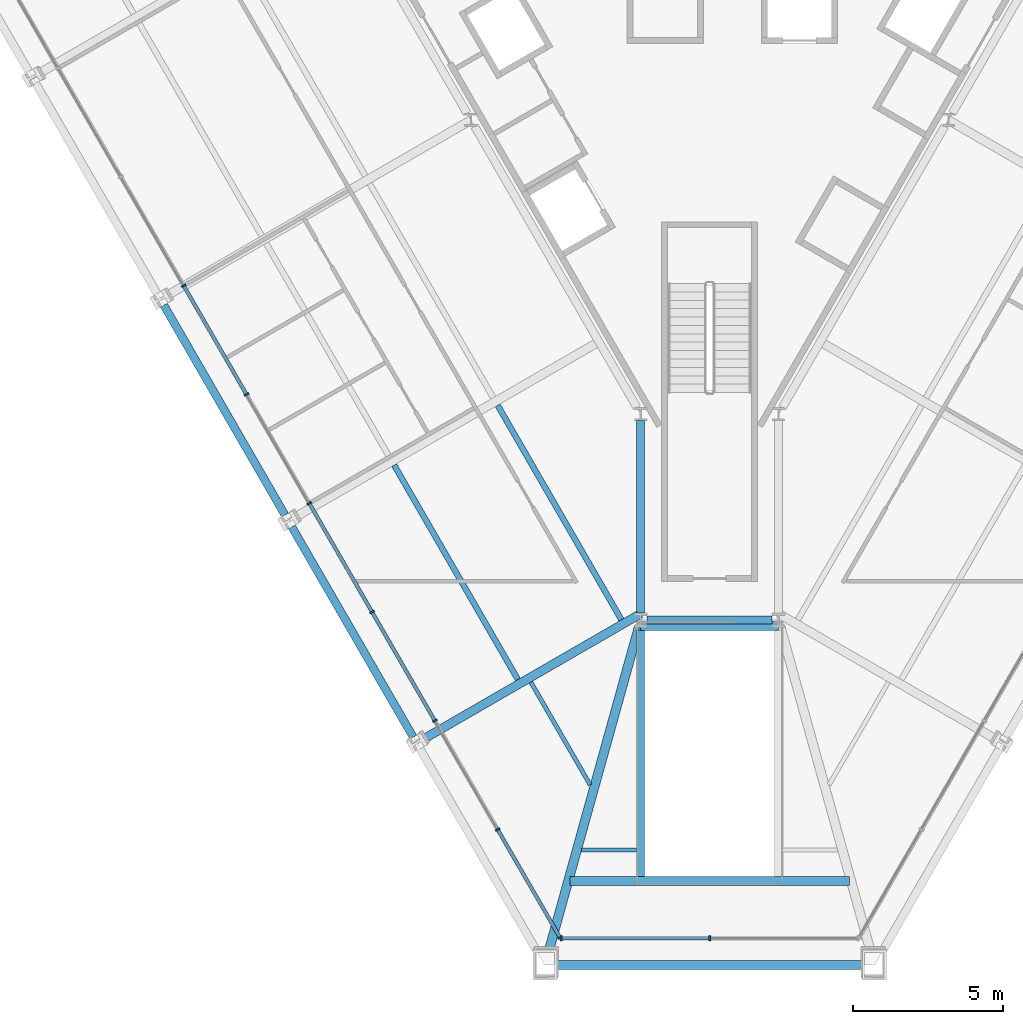
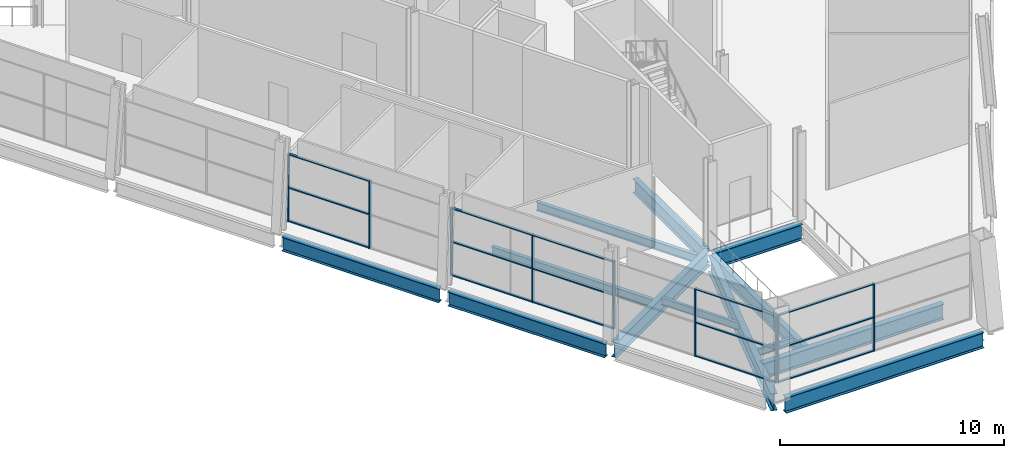
# One storey, part 2 of 18: 24 members, 14 beams, 2 elements without a shape of their own.
"""IFC4 building model written with IfcOpenShell, lengths in metres."""

from ifc_helpers import new_model, si_unit, direction, frame, origin, origin_2d, place, context, subcontext, project, spatial, rectangle, i_section, extrude, material, layer, layer_set, material_profile, profile_set, type_object, element, aggregate, save


model = new_model("IFC4")

# Units and contexts
model_context = context("Model", 3, precision=1e-05, world=origin(), true_north=direction((0.0, 1.0)))
body_context = subcontext(model_context, "Body", "Model", "MODEL_VIEW")
ifc_project = project(units=[si_unit("LENGTHUNIT", "METRE"), si_unit("AREAUNIT", "SQUARE_METRE"), si_unit("VOLUMEUNIT", "CUBIC_METRE"), si_unit("PLANEANGLEUNIT", "RADIAN"), si_unit("MASSUNIT", "GRAM", prefix="KILO")], contexts=[model_context])

# Site, building, storey
site_placement = place(None, origin())
site = spatial("IfcSite", under=ifc_project, at=site_placement, CompositionType="ELEMENT")
building_placement = place(site_placement, origin())
building = spatial("IfcBuilding", under=site, at=building_placement, Name="Verrane Prism Tower", CompositionType="ELEMENT")
storey_placement = place(building_placement, frame((0.0, 0.0, 32.0)))
storey = spatial("IfcBuildingStorey", under=building, at=storey_placement, Name="L05", CompositionType="ELEMENT", Elevation=32.0)

# Curtain wall, members
ifc_material_1 = material(Name="Aluminium and glass curtain wall", Category="aluminium")
ifc_layer = layer(ifc_material_1, 0.199951171875)
ifc_layer_set = layer_set([ifc_layer], Name="CWB-1 retail curtain wall")
curtain_wall_type = type_object("IfcCurtainWallType", Name="CWB-1 retail curtain wall", PredefinedType="NOTDEFINED", material=ifc_layer_set)
curtain_wall_1_placement = place(storey_placement, origin())
curtain_wall_1 = element("IfcCurtainWall", 1, at=curtain_wall_1_placement, inside=storey, type_object=curtain_wall_type, Name="Retail curtain wall L05 4", PredefinedType="NOTDEFINED")
ifc_material_2 = material(Name="Aluminium", Category="aluminium")
ifc_material_profile_1 = material_profile(ifc_material_2, rectangle(XDim=0.159912109375, YDim=0.06005859375, at=origin_2d()), Name="CWB-M 60x160 mullion")
ifc_profile_set_1 = profile_set([ifc_material_profile_1], Name="Aluminium")
member_type_1 = type_object("IfcMemberType", Name="CWB-M 60x160 mullion", PredefinedType="MULLION", material=ifc_profile_set_1)
member_1_placement = place(storey_placement, frame((-17.554443359375, -10.135009765625, 0.0), z_axis=(0.0, 0.0, 1.0), x_axis=(0.866025335097, 0.50000011897, 0.0)))
member_1 = element("IfcMember", 2, at=member_1_placement, type_object=member_type_1, Name="CWB54 mullion 7", PredefinedType="MULLION", context=body_context, shape_type="SweptSolid", body=[
    extrude(rectangle(XDim=0.159912109375, YDim=0.06005859375, at=origin_2d()), origin(), (0.0, 0.0, 1.0), 3.68994140625),
])
member_2_placement = place(storey_placement, frame((-15.458740234375, -13.764892578125, 0.0), z_axis=(0.0, 0.0, 1.0), x_axis=(0.866025335097, 0.50000011897, 0.0)))
member_2 = element("IfcMember", 3, at=member_2_placement, type_object=member_type_1, Name="CWB54 mullion 8", PredefinedType="MULLION", context=body_context, shape_type="SweptSolid", body=[
    extrude(rectangle(XDim=0.159912109375, YDim=0.06005859375, at=origin_2d()), origin(), (0.0, 0.0, 1.0), 3.68994140625),
])
member_3_placement = place(storey_placement, frame((-13.363037109375, -17.39453125, 0.0), z_axis=(0.0, 0.0, 1.0), x_axis=(0.866025335097, 0.50000011897, 0.0)))
member_3 = element("IfcMember", 4, at=member_3_placement, type_object=member_type_1, Name="CWB54 mullion 9", PredefinedType="MULLION", context=body_context, shape_type="SweptSolid", body=[
    extrude(rectangle(XDim=0.159912109375, YDim=0.06005859375, at=origin_2d()), origin(), (0.0, 0.0, 1.0), 3.68994140625),
])
member_4_placement = place(storey_placement, frame((-11.267333984375, -21.0244140625, 0.0), z_axis=(0.0, 0.0, 1.0), x_axis=(0.866025335097, 0.50000011897, 0.0)))
member_4 = element("IfcMember", 5, at=member_4_placement, type_object=member_type_1, Name="CWB54 mullion 10", PredefinedType="MULLION", context=body_context, shape_type="SweptSolid", body=[
    extrude(rectangle(XDim=0.159912109375, YDim=0.06005859375, at=origin_2d()), origin(), (0.0, 0.0, 1.0), 3.68994140625),
])
member_5_placement = place(storey_placement, frame((-9.171630859375, -24.654052734375, 0.0), z_axis=(0.0, 0.0, 1.0), x_axis=(0.866025335097, 0.50000011897, 0.0)))
member_5 = element("IfcMember", 6, at=member_5_placement, type_object=member_type_1, Name="CWB54 mullion 11", PredefinedType="MULLION", context=body_context, shape_type="SweptSolid", body=[
    extrude(rectangle(XDim=0.159912109375, YDim=0.06005859375, at=origin_2d()), origin(), (0.0, 0.0, 1.0), 3.68994140625),
])
member_6_placement = place(storey_placement, frame((-7.075927734375, -28.283935546875, 0.0), z_axis=(0.0, 0.0, 1.0), x_axis=(0.866025335097, 0.50000011897, 0.0)))
member_6 = element("IfcMember", 7, at=member_6_placement, type_object=member_type_1, Name="CWB54 mullion 12", PredefinedType="MULLION", context=body_context, shape_type="SweptSolid", body=[
    extrude(rectangle(XDim=0.159912109375, YDim=0.06005859375, at=origin_2d()), origin(), (0.0, 0.0, 1.0), 3.68994140625),
])
member_7_placement = place(storey_placement, frame((-4.995361328125, -31.8876953125, 0.0), z_axis=(0.0, 0.0, 1.0), x_axis=(0.866025335097, 0.50000011897, 0.0)))
member_7 = element("IfcMember", 8, at=member_7_placement, type_object=member_type_1, Name="CWB54 mullion 13", PredefinedType="MULLION", context=body_context, shape_type="SweptSolid", body=[
    extrude(rectangle(XDim=0.159912109375, YDim=0.06005859375, at=origin_2d()), origin(), (0.0, 0.0, 1.0), 3.68994140625),
])

curtain_wall_2_placement = place(storey_placement, origin())
curtain_wall_2 = element("IfcCurtainWall", 9, at=curtain_wall_2_placement, inside=storey, type_object=curtain_wall_type, Name="Retail curtain wall L05 5", PredefinedType="NOTDEFINED")
member_8_placement = place(storey_placement, frame((-4.950439453125, -31.913818359375, 0.0), z_axis=(0.0, 0.0, 1.0), x_axis=(0.0, 1.0, 0.0)))
member_8 = element("IfcMember", 10, at=member_8_placement, type_object=member_type_1, Name="CWB55 mullion 1", PredefinedType="MULLION", context=body_context, shape_type="SweptSolid", body=[
    extrude(rectangle(XDim=0.159912109375, YDim=0.06005859375, at=origin_2d()), origin(), (0.0, 0.0, 1.0), 3.68994140625),
])
member_9_placement = place(storey_placement, frame((0.0, -31.913818359375, 0.0), z_axis=(0.0, 0.0, 1.0), x_axis=(0.0, 1.0, 0.0)))
member_9 = element("IfcMember", 11, at=member_9_placement, type_object=member_type_1, Name="CWB55 mullion 2", PredefinedType="MULLION", context=body_context, shape_type="SweptSolid", body=[
    extrude(rectangle(XDim=0.159912109375, YDim=0.06005859375, at=origin_2d()), origin(), (0.0, 0.0, 1.0), 3.68994140625),
])

# Member
ifc_material_3 = material(Name="Aluminium", Category="aluminium")
ifc_material_profile_2 = material_profile(ifc_material_3, rectangle(XDim=0.1201171875, YDim=0.06005859375, at=origin_2d()), Name="CWB-T 60x120 transom")
ifc_profile_set_2 = profile_set([ifc_material_profile_2], Name="Aluminium")
member_type_2 = type_object("IfcMemberType", Name="CWB-T 60x120 transom", PredefinedType="USERDEFINED", material=ifc_profile_set_2)
member_10_placement = place(storey_placement, frame((-17.539306640625, -10.160888671875, 0.030029296875), z_axis=(0.499996977546, -0.866027148792, 0.0), x_axis=(0.866027148792, 0.499996977546, 0.0)))
member_10 = element("IfcMember", 12, at=member_10_placement, type_object=member_type_2, Name="CWB54 transom 7.1", ObjectType="TRANSOM", PredefinedType="USERDEFINED", context=body_context, shape_type="SweptSolid", body=[
    extrude(rectangle(XDim=0.1201171875, YDim=0.06005859375, at=origin_2d()), origin(), (0.0, 0.0, 1.0), 4.13134765625),
])

member_11_placement = place(storey_placement, frame((-17.539306640625, -10.160888671875, 1.844970703125), z_axis=(0.499996977546, -0.866027148792, 0.0), x_axis=(0.866027148792, 0.499996977546, 0.0)))
member_11 = element("IfcMember", 13, at=member_11_placement, type_object=member_type_2, Name="CWB54 transom 7.2", ObjectType="TRANSOM", PredefinedType="USERDEFINED", context=body_context, shape_type="SweptSolid", body=[
    extrude(rectangle(XDim=0.1201171875, YDim=0.06005859375, at=origin_2d()), origin(), (0.0, 0.0, 1.0), 4.13134765625),
])

member_12_placement = place(storey_placement, frame((-17.539306640625, -10.160888671875, 3.659912109375), z_axis=(0.499996977546, -0.866027148792, 0.0), x_axis=(0.866027148792, 0.499996977546, 0.0)))
member_12 = element("IfcMember", 14, at=member_12_placement, type_object=member_type_2, Name="CWB54 transom 7.3", ObjectType="TRANSOM", PredefinedType="USERDEFINED", context=body_context, shape_type="SweptSolid", body=[
    extrude(rectangle(XDim=0.1201171875, YDim=0.06005859375, at=origin_2d()), origin(), (0.0, 0.0, 1.0), 4.13134765625),
])

member_13_placement = place(storey_placement, frame((-13.347900390625, -17.420654296875, 0.030029296875), z_axis=(0.499978243488, -0.866037964548, 0.0), x_axis=(0.866037964548, 0.499978243488, 0.0)))
member_13 = element("IfcMember", 15, at=member_13_placement, type_object=member_type_2, Name="CWB54 transom 9.1", ObjectType="TRANSOM", PredefinedType="USERDEFINED", context=body_context, shape_type="SweptSolid", body=[
    extrude(rectangle(XDim=0.1201171875, YDim=0.06005859375, at=origin_2d()), origin(), (0.0, 0.0, 1.0), 4.131103515625),
])

member_14_placement = place(storey_placement, frame((-13.347900390625, -17.420654296875, 1.844970703125), z_axis=(0.499978243488, -0.866037964548, 0.0), x_axis=(0.866037964548, 0.499978243488, 0.0)))
member_14 = element("IfcMember", 16, at=member_14_placement, type_object=member_type_2, Name="CWB54 transom 9.2", ObjectType="TRANSOM", PredefinedType="USERDEFINED", context=body_context, shape_type="SweptSolid", body=[
    extrude(rectangle(XDim=0.1201171875, YDim=0.06005859375, at=origin_2d()), origin(), (0.0, 0.0, 1.0), 4.131103515625),
])

member_15_placement = place(storey_placement, frame((-13.347900390625, -17.420654296875, 3.659912109375), z_axis=(0.499978243488, -0.866037964548, 0.0), x_axis=(0.866037964548, 0.499978243488, 0.0)))
member_15 = element("IfcMember", 17, at=member_15_placement, type_object=member_type_2, Name="CWB54 transom 9.3", ObjectType="TRANSOM", PredefinedType="USERDEFINED", context=body_context, shape_type="SweptSolid", body=[
    extrude(rectangle(XDim=0.1201171875, YDim=0.06005859375, at=origin_2d()), origin(), (0.0, 0.0, 1.0), 4.131103515625),
])

member_16_placement = place(storey_placement, frame((-11.25244140625, -21.05029296875, 0.030029296875), z_axis=(0.499996977546, -0.866027148792, 0.0), x_axis=(0.866027148792, 0.499996977546, 0.0)))
member_16 = element("IfcMember", 18, at=member_16_placement, type_object=member_type_2, Name="CWB54 transom 10.1", ObjectType="TRANSOM", PredefinedType="USERDEFINED", context=body_context, shape_type="SweptSolid", body=[
    extrude(rectangle(XDim=0.1201171875, YDim=0.06005859375, at=origin_2d()), origin(), (0.0, 0.0, 1.0), 4.13134765625),
])

member_17_placement = place(storey_placement, frame((-11.25244140625, -21.05029296875, 1.844970703125), z_axis=(0.499996977546, -0.866027148792, 0.0), x_axis=(0.866027148792, 0.499996977546, 0.0)))
member_17 = element("IfcMember", 19, at=member_17_placement, type_object=member_type_2, Name="CWB54 transom 10.2", ObjectType="TRANSOM", PredefinedType="USERDEFINED", context=body_context, shape_type="SweptSolid", body=[
    extrude(rectangle(XDim=0.1201171875, YDim=0.06005859375, at=origin_2d()), origin(), (0.0, 0.0, 1.0), 4.13134765625),
])

member_18_placement = place(storey_placement, frame((-11.25244140625, -21.05029296875, 3.659912109375), z_axis=(0.499996977546, -0.866027148792, 0.0), x_axis=(0.866027148792, 0.499996977546, 0.0)))
member_18 = element("IfcMember", 20, at=member_18_placement, type_object=member_type_2, Name="CWB54 transom 10.3", ObjectType="TRANSOM", PredefinedType="USERDEFINED", context=body_context, shape_type="SweptSolid", body=[
    extrude(rectangle(XDim=0.1201171875, YDim=0.06005859375, at=origin_2d()), origin(), (0.0, 0.0, 1.0), 4.13134765625),
])

member_19_placement = place(storey_placement, frame((-7.06103515625, -28.309814453125, 0.030029296875), z_axis=(0.499961200281, -0.866047803654, 0.0), x_axis=(0.866047803654, 0.499961200281, 0.0)))
member_19 = element("IfcMember", 21, at=member_19_placement, type_object=member_type_2, Name="CWB54 transom 12.1", ObjectType="TRANSOM", PredefinedType="USERDEFINED", context=body_context, shape_type="SweptSolid", body=[
    extrude(rectangle(XDim=0.1201171875, YDim=0.06005859375, at=origin_2d()), origin(), (0.0, 0.0, 1.0), 4.101318359375),
])

member_20_placement = place(storey_placement, frame((-7.06103515625, -28.309814453125, 1.844970703125), z_axis=(0.499961200281, -0.866047803654, 0.0), x_axis=(0.866047803654, 0.499961200281, 0.0)))
member_20 = element("IfcMember", 22, at=member_20_placement, type_object=member_type_2, Name="CWB54 transom 12.2", ObjectType="TRANSOM", PredefinedType="USERDEFINED", context=body_context, shape_type="SweptSolid", body=[
    extrude(rectangle(XDim=0.1201171875, YDim=0.06005859375, at=origin_2d()), origin(), (0.0, 0.0, 1.0), 4.101318359375),
])

member_21_placement = place(storey_placement, frame((-7.06103515625, -28.309814453125, 3.659912109375), z_axis=(0.499961200281, -0.866047803654, 0.0), x_axis=(0.866047803654, 0.499961200281, 0.0)))
member_21 = element("IfcMember", 23, at=member_21_placement, type_object=member_type_2, Name="CWB54 transom 12.3", ObjectType="TRANSOM", PredefinedType="USERDEFINED", context=body_context, shape_type="SweptSolid", body=[
    extrude(rectangle(XDim=0.1201171875, YDim=0.06005859375, at=origin_2d()), origin(), (0.0, 0.0, 1.0), 4.101318359375),
])

aggregate(curtain_wall_1, [member_1, member_2, member_3, member_4, member_5, member_6, member_7, member_10, member_11, member_12, member_13, member_14, member_15, member_16, member_17, member_18, member_19, member_20, member_21])

member_22_placement = place(storey_placement, frame((-4.92041015625, -31.913818359375, 0.030029296875), z_axis=(1.0, 0.0, 0.0), x_axis=(0.0, 1.0, 0.0)))
member_22 = element("IfcMember", 24, at=member_22_placement, type_object=member_type_2, Name="CWB55 transom 1.1", ObjectType="TRANSOM", PredefinedType="USERDEFINED", context=body_context, shape_type="SweptSolid", body=[
    extrude(rectangle(XDim=0.1201171875, YDim=0.06005859375, at=origin_2d()), origin(), (0.0, 0.0, 1.0), 4.890380859375),
])

member_23_placement = place(storey_placement, frame((-4.92041015625, -31.913818359375, 1.844970703125), z_axis=(1.0, 0.0, 0.0), x_axis=(0.0, 1.0, 0.0)))
member_23 = element("IfcMember", 25, at=member_23_placement, type_object=member_type_2, Name="CWB55 transom 1.2", ObjectType="TRANSOM", PredefinedType="USERDEFINED", context=body_context, shape_type="SweptSolid", body=[
    extrude(rectangle(XDim=0.1201171875, YDim=0.06005859375, at=origin_2d()), origin(), (0.0, 0.0, 1.0), 4.890380859375),
])

member_24_placement = place(storey_placement, frame((-4.92041015625, -31.913818359375, 3.659912109375), z_axis=(1.0, 0.0, 0.0), x_axis=(0.0, 1.0, 0.0)))
member_24 = element("IfcMember", 26, at=member_24_placement, type_object=member_type_2, Name="CWB55 transom 1.3", ObjectType="TRANSOM", PredefinedType="USERDEFINED", context=body_context, shape_type="SweptSolid", body=[
    extrude(rectangle(XDim=0.1201171875, YDim=0.06005859375, at=origin_2d()), origin(), (0.0, 0.0, 1.0), 4.890380859375),
])

aggregate(curtain_wall_2, [member_8, member_9, member_22, member_23, member_24])

# Beams
ifc_material_4 = material(Name="Steel A992", Category="steel")
ifc_material_profile_3 = material_profile(ifc_material_4, i_section(OverallWidth=0.2919921875, OverallDepth=0.845703125, WebThickness=0.015380859375, FlangeThickness=0.0244140625, FilletRadius=0.017822265625, at=origin_2d()), Name="W33x141")
ifc_profile_set_3 = profile_set([ifc_material_profile_3], Name="Steel A992")
beam_type_1 = type_object("IfcBeamType", Name="Chamfer spandrel beam W33x141", PredefinedType="SPANDREL", material=ifc_profile_set_3)
beam_1_placement = place(storey_placement, frame((-5.10009765625, -32.81005859375, -0.5830078125), z_axis=(1.0, 0.0, 0.0), x_axis=(0.0, 1.0, 0.0)))
element("IfcBeam", 27, at=beam_1_placement, inside=storey, type_object=beam_type_1, Name="Chamfer spandrel beam L05", PredefinedType="SPANDREL", context=body_context, shape_type="SweptSolid", body=[
    extrude(i_section(OverallWidth=0.2919921875, OverallDepth=0.845703125, WebThickness=0.015380859375, FlangeThickness=0.0244140625, FilletRadius=0.017822265625, at=origin_2d()), origin(), (0.0, 0.0, 1.0), 10.2001953125),
])
ifc_material_5 = material(Name="Steel A992", Category="steel")
ifc_material_profile_4 = material_profile(ifc_material_5, i_section(OverallWidth=0.2666015625, OverallDepth=0.76708984375, WebThickness=0.014892578125, FlangeThickness=0.023681640625, FilletRadius=0.0166015625, at=origin_2d()), Name="W30x124")
ifc_profile_set_4 = profile_set([ifc_material_profile_4], Name="Steel A992")
beam_type_2 = type_object("IfcBeamType", Name="Core ring girder W30x124", PredefinedType="BEAM", material=ifc_profile_set_4)
beam_2_placement = place(storey_placement, frame((-2.300048828125, -14.63720703125, -0.633544921875), z_axis=(0.0, -1.0, 0.0), x_axis=(1.0, 0.0, 0.0)))
element("IfcBeam", 28, at=beam_2_placement, inside=storey, type_object=beam_type_2, Name="Core ring girder L05", PredefinedType="BEAM", context=body_context, shape_type="SweptSolid", body=[
    extrude(i_section(OverallWidth=0.2666015625, OverallDepth=0.76708984375, WebThickness=0.014892578125, FlangeThickness=0.023681640625, FilletRadius=0.0166015625, at=origin_2d()), origin(), (0.0, 0.0, 1.0), 6.42529296875),
])
beam_3_placement = place(storey_placement, frame((-2.087890625, -21.300048828125, -0.633544921875), z_axis=(1.0, 0.0, 0.0), x_axis=(0.0, 1.0, 0.0)))
element("IfcBeam", 29, at=beam_3_placement, inside=storey, type_object=beam_type_2, Name="Core ring girder L05", PredefinedType="BEAM", context=body_context, shape_type="SweptSolid", body=[
    extrude(i_section(OverallWidth=0.2666015625, OverallDepth=0.76708984375, WebThickness=0.014892578125, FlangeThickness=0.023681640625, FilletRadius=0.0166015625, at=origin_2d()), origin(), (0.0, 0.0, 1.0), 4.17578125),
])
ifc_material_6 = material(Name="Steel A992", Category="steel")
ifc_material_profile_5 = material_profile(ifc_material_6, i_section(OverallWidth=0.307373046875, OverallDepth=0.927001953125, WebThickness=0.01953125, FlangeThickness=0.031982421875, FilletRadius=0.01904296875, at=origin_2d()), Name="W36x194")
ifc_profile_set_5 = profile_set([ifc_material_profile_5], Name="Steel A992")
beam_type_3 = type_object("IfcBeamType", Name="Corner girder W36x194", PredefinedType="BEAM", material=ifc_profile_set_5)
beam_4_placement = place(storey_placement, frame((-5.361083984375, -32.31005859375, -0.68359375), z_axis=(0.267873594468, 0.963454066049, 0.0), x_axis=(-0.963454066049, 0.267873594468, 0.0)))
element("IfcBeam", 30, at=beam_4_placement, inside=storey, type_object=beam_type_3, Name="Corner girder L05", PredefinedType="BEAM", context=body_context, shape_type="SweptSolid", body=[
    extrude(i_section(OverallWidth=0.307373046875, OverallDepth=0.927001953125, WebThickness=0.01953125, FlangeThickness=0.031982421875, FilletRadius=0.01904296875, at=origin_2d()), origin(), (0.0, 0.0, 1.0), 11.18115234375),
])
ifc_material_7 = material(Name="Steel A992", Category="steel")
ifc_material_profile_6 = material_profile(ifc_material_7, i_section(OverallWidth=0.140380859375, OverallDepth=0.40380859375, WebThickness=0.007080078125, FlangeThickness=0.01123046875, FilletRadius=0.01025390625, at=origin_2d()), Name="W16x31")
ifc_profile_set_6 = profile_set([ifc_material_profile_6], Name="Steel A992")
beam_type_4 = type_object("IfcBeamType", Name="Floor beam W16x31", PredefinedType="BEAM", material=ifc_profile_set_6)
beam_5_placement = place(storey_placement, frame((-3.9873046875, -26.795654296875, -0.36181640625), z_axis=(-0.499978641112, 0.866037734993, 0.0), x_axis=(-0.866037734993, -0.499978641112, 0.0)))
element("IfcBeam", 31, at=beam_5_placement, inside=storey, type_object=beam_type_4, Name="Floor beam L05", PredefinedType="BEAM", context=body_context, shape_type="SweptSolid", body=[
    extrude(i_section(OverallWidth=0.140380859375, OverallDepth=0.40380859375, WebThickness=0.007080078125, FlangeThickness=0.01123046875, FilletRadius=0.01025390625, at=origin_2d()), origin(), (0.0, 0.0, 1.0), 3.959716796875),
])
beam_6_placement = place(storey_placement, frame((-4.27392578125, -28.973388671875, -0.36181640625), z_axis=(1.0, 0.0, 0.0), x_axis=(0.0, 1.0, 0.0)))
element("IfcBeam", 32, at=beam_6_placement, inside=storey, type_object=beam_type_4, Name="Floor beam L05", PredefinedType="BEAM", context=body_context, shape_type="SweptSolid", body=[
    extrude(i_section(OverallWidth=0.140380859375, OverallDepth=0.40380859375, WebThickness=0.007080078125, FlangeThickness=0.01123046875, FilletRadius=0.01025390625, at=origin_2d()), origin(), (0.0, 0.0, 1.0), 1.84033203125),
])
ifc_material_8 = material(Name="Steel A992", Category="steel")
ifc_material_profile_7 = material_profile(ifc_material_8, i_section(OverallWidth=0.1904296875, OverallDepth=0.457275390625, WebThickness=0.009033203125, FlangeThickness=0.014404296875, FilletRadius=0.01025390625, at=origin_2d()), Name="W18x50")
ifc_profile_set_7 = profile_set([ifc_material_profile_7], Name="Steel A992")
beam_type_5 = type_object("IfcBeamType", Name="Floor beam W18x50", PredefinedType="BEAM", material=ifc_profile_set_7)
beam_7_placement = place(storey_placement, frame((-2.943603515625, -21.283203125, -0.388671875), z_axis=(-0.500014123243, 0.866017249573, 0.0), x_axis=(-0.866017249573, -0.500014123243, 0.0)))
element("IfcBeam", 33, at=beam_7_placement, inside=storey, type_object=beam_type_5, Name="Floor beam L05", PredefinedType="BEAM", context=body_context, shape_type="SweptSolid", body=[
    extrude(i_section(OverallWidth=0.1904296875, OverallDepth=0.457275390625, WebThickness=0.009033203125, FlangeThickness=0.014404296875, FilletRadius=0.01025390625, at=origin_2d()), origin(), (0.0, 0.0, 1.0), 8.260009765625),
])
beam_8_placement = place(storey_placement, frame((-6.39892578125, -23.27880859375, -0.388671875), z_axis=(-0.499996977546, 0.866027148792, 0.0), x_axis=(-0.866027148792, -0.499996977546, 0.0)))
element("IfcBeam", 34, at=beam_8_placement, inside=storey, type_object=beam_type_5, Name="Floor beam L05", PredefinedType="BEAM", context=body_context, shape_type="SweptSolid", body=[
    extrude(i_section(OverallWidth=0.1904296875, OverallDepth=0.457275390625, WebThickness=0.009033203125, FlangeThickness=0.014404296875, FilletRadius=0.01025390625, at=origin_2d()), origin(), (0.0, 0.0, 1.0), 8.2626953125),
])
ifc_material_9 = material(Name="Steel A992", Category="steel")
ifc_material_profile_8 = material_profile(ifc_material_9, i_section(OverallWidth=0.2919921875, OverallDepth=0.845703125, WebThickness=0.015380859375, FlangeThickness=0.0244140625, FilletRadius=0.017822265625, at=origin_2d()), Name="W33x141")
ifc_profile_set_8 = profile_set([ifc_material_profile_8], Name="Steel A992")
beam_type_6 = type_object("IfcBeamType", Name="Radial girder W33x141", PredefinedType="BEAM", material=ifc_profile_set_8)
beam_9_placement = place(storey_placement, frame((-9.53369140625, -25.2578125, -0.642822265625), z_axis=(0.866016684991, 0.500015101088, 0.0), x_axis=(-0.500015101088, 0.866016684991, 0.0)))
element("IfcBeam", 35, at=beam_9_placement, inside=storey, type_object=beam_type_6, Name="Radial girder L05", PredefinedType="BEAM", context=body_context, shape_type="SweptSolid", body=[
    extrude(i_section(OverallWidth=0.2919921875, OverallDepth=0.845703125, WebThickness=0.015380859375, FlangeThickness=0.0244140625, FilletRadius=0.017822265625, at=origin_2d()), origin(), (0.0, 0.0, 1.0), 8.352783203125),
])
ifc_material_10 = material(Name="Steel A992", Category="steel")
ifc_material_profile_9 = material_profile(ifc_material_10, i_section(OverallWidth=0.2666015625, OverallDepth=0.76708984375, WebThickness=0.014892578125, FlangeThickness=0.023681640625, FilletRadius=0.0166015625, at=origin_2d()), Name="W30x124")
ifc_profile_set_9 = profile_set([ifc_material_profile_9], Name="Steel A992")
beam_type_7 = type_object("IfcBeamType", Name="Slab edge girder W30x124", PredefinedType="BEAM", material=ifc_profile_set_9)
beam_10_placement = place(storey_placement, frame((-2.300048828125, -21.6298828125, -0.54345703125), z_axis=(0.0, -1.0, 0.0), x_axis=(1.0, 0.0, 0.0)))
element("IfcBeam", 36, at=beam_10_placement, inside=storey, type_object=beam_type_7, Name="Slab edge girder L05", PredefinedType="BEAM", context=body_context, shape_type="SweptSolid", body=[
    extrude(i_section(OverallWidth=0.2666015625, OverallDepth=0.76708984375, WebThickness=0.014892578125, FlangeThickness=0.023681640625, FilletRadius=0.0166015625, at=origin_2d()), origin(), (0.0, 0.0, 1.0), 8.230224609375),
])
ifc_material_11 = material(Name="Steel A992", Category="steel")
ifc_material_profile_10 = material_profile(ifc_material_11, i_section(OverallWidth=0.2919921875, OverallDepth=0.845703125, WebThickness=0.015380859375, FlangeThickness=0.0244140625, FilletRadius=0.017822265625, at=origin_2d()), Name="W33x141")
ifc_profile_set_10 = profile_set([ifc_material_profile_10], Name="Steel A992")
beam_type_8 = type_object("IfcBeamType", Name="Slab edge girder W33x141", PredefinedType="BEAM", material=ifc_profile_set_10)
beam_11_placement = place(storey_placement, frame((-4.668701171875, -30.0, -0.5830078125), z_axis=(1.0, 0.0, 0.0), x_axis=(0.0, 1.0, 0.0)))
element("IfcBeam", 37, at=beam_11_placement, inside=storey, type_object=beam_type_8, Name="Slab edge girder L05", PredefinedType="BEAM", context=body_context, shape_type="SweptSolid", body=[
    extrude(i_section(OverallWidth=0.2919921875, OverallDepth=0.845703125, WebThickness=0.015380859375, FlangeThickness=0.0244140625, FilletRadius=0.017822265625, at=origin_2d()), origin(), (0.0, 0.0, 1.0), 9.33740234375),
])
beam_12_placement = place(storey_placement, frame((2.302734375, -21.489990234375, -0.5830078125), z_axis=(-1.0, 0.0, 0.0), x_axis=(0.0, -1.0, 0.0)))
element("IfcBeam", 38, at=beam_12_placement, inside=storey, type_object=beam_type_8, Name="Slab edge girder L05", PredefinedType="BEAM", context=body_context, shape_type="SweptSolid", body=[
    extrude(i_section(OverallWidth=0.2919921875, OverallDepth=0.845703125, WebThickness=0.015380859375, FlangeThickness=0.0244140625, FilletRadius=0.017822265625, at=origin_2d()), origin(), (0.0, 0.0, 1.0), 4.60546875),
])
ifc_material_12 = material(Name="Steel A992", Category="steel")
ifc_material_profile_11 = material_profile(ifc_material_12, i_section(OverallWidth=0.2666015625, OverallDepth=0.76708984375, WebThickness=0.014892578125, FlangeThickness=0.023681640625, FilletRadius=0.0166015625, at=origin_2d()), Name="W30x124")
ifc_profile_set_11 = profile_set([ifc_material_profile_11], Name="Steel A992")
beam_type_9 = type_object("IfcBeamType", Name="Spandrel beam W30x124", PredefinedType="SPANDREL", material=ifc_profile_set_11)
beam_13_placement = place(storey_placement, frame((-18.21630859375, -10.786865234375, -0.54345703125), z_axis=(0.499778193066, -0.86615342621, 0.0), x_axis=(0.86615342621, 0.499778193066, 0.0)))
element("IfcBeam", 39, at=beam_13_placement, inside=storey, type_object=beam_type_9, Name="Spandrel beam L05", PredefinedType="SPANDREL", context=body_context, shape_type="SweptSolid", body=[
    extrude(i_section(OverallWidth=0.2666015625, OverallDepth=0.76708984375, WebThickness=0.014892578125, FlangeThickness=0.023681640625, FilletRadius=0.0166015625, at=origin_2d()), origin(), (0.0, 0.0, 1.0), 8.089111328125),
])
beam_14_placement = place(storey_placement, frame((-13.9462890625, -18.18701171875, -0.54345703125), z_axis=(0.500160624136, -0.865932647533, 0.0), x_axis=(0.865932647533, 0.500160624136, 0.0)))
element("IfcBeam", 40, at=beam_14_placement, inside=storey, type_object=beam_type_9, Name="Spandrel beam L05", PredefinedType="SPANDREL", context=body_context, shape_type="SweptSolid", body=[
    extrude(i_section(OverallWidth=0.2666015625, OverallDepth=0.76708984375, WebThickness=0.014892578125, FlangeThickness=0.023681640625, FilletRadius=0.0166015625, at=origin_2d()), origin(), (0.0, 0.0, 1.0), 8.102294921875),
])

save(model, "model.ifc")
